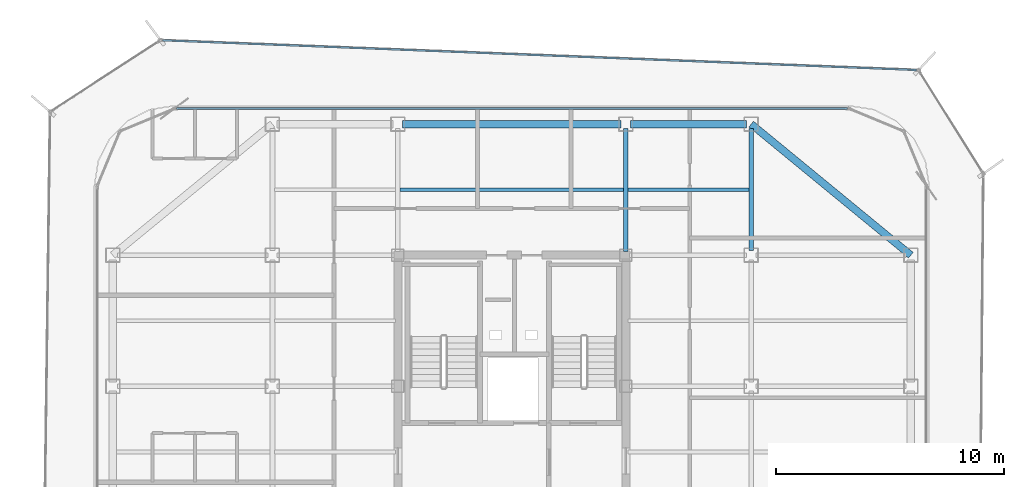
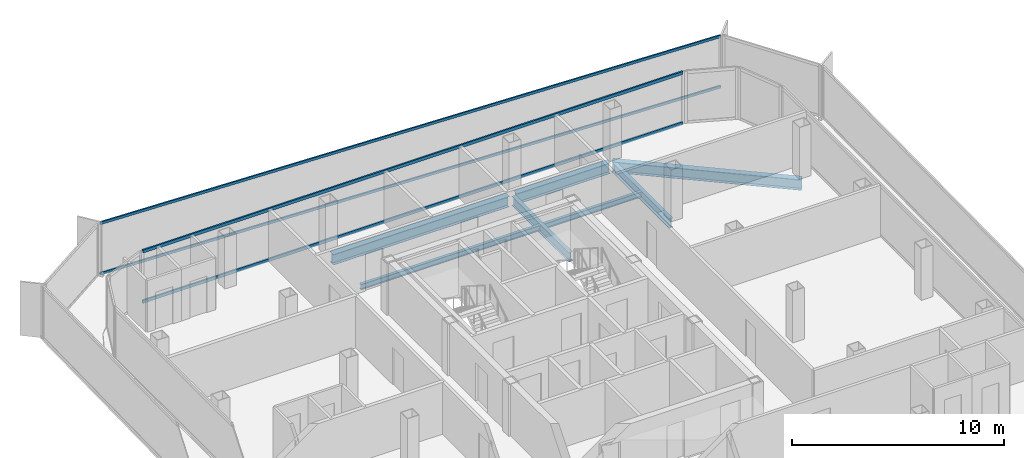
# One storey, part 7 of 15: 7 beams, 4 members, 2 elements without a shape of their own.
"""IFC4 building model written with IfcOpenShell, lengths in metres."""

from ifc_helpers import new_model, si_unit, direction, frame, origin, origin_2d, place, context, subcontext, project, spatial, hollow_rectangle, i_section, extrude, source, transform, mapped, material, layer, layer_set, material_profile, profile_set, type_object, element, aggregate, save


model = new_model("IFC4")

# Units and contexts
model_context = context("Model", 3, precision=1e-05, world=origin(), true_north=direction((0.0, 1.0)))
body_context = subcontext(model_context, "Body", "Model", "MODEL_VIEW")
ifc_project = project(units=[si_unit("LENGTHUNIT", "METRE"), si_unit("AREAUNIT", "SQUARE_METRE"), si_unit("VOLUMEUNIT", "CUBIC_METRE"), si_unit("PLANEANGLEUNIT", "RADIAN"), si_unit("MASSUNIT", "GRAM", prefix="KILO")], contexts=[model_context])

# Site, building, storey
site_placement = place(None, origin())
site = spatial("IfcSite", under=ifc_project, at=site_placement, CompositionType="ELEMENT")
building_placement = place(site_placement, origin())
building = spatial("IfcBuilding", under=site, at=building_placement, Name="Kolveth Station Tower", CompositionType="ELEMENT")
storey_placement = place(building_placement, frame((0.0, 0.0, 261.699951171875)))
storey = spatial("IfcBuildingStorey", under=building, at=storey_placement, Name="L75", CompositionType="ELEMENT", Elevation=261.699951171875)

# Beams
ifc_material_1 = material(Name="Steel S355", Category="steel")
ifc_material_profile_1 = material_profile(ifc_material_1, i_section(OverallWidth=0.323974609375, OverallDepth=0.611083984375, WebThickness=0.0126953125, FlangeThickness=0.01904296875, at=origin_2d()), Name="W610x155")
ifc_profile_set_1 = profile_set([ifc_material_profile_1], Name="Steel S355")
beam_type_1 = type_object("IfcBeamType", Name="Beam_SP2", PredefinedType="SPANDREL", material=ifc_profile_set_1)
shared_shape_1 = source(origin(), body_context, "Body", "SweptSolid", [
    extrude(i_section(OverallWidth=0.323974609375, OverallDepth=0.611083984375, WebThickness=0.0126953125, FlangeThickness=0.01904296875, at=origin_2d()), origin(), (0.0, 0.0, 1.0), 9.058837890625),
])
beam_1_placement = place(storey_placement, frame((41.0, 28.75, -0.525390625), z_axis=(-0.772726254525, 0.63473942336, 0.0), x_axis=(-0.63473942336, -0.772726254525, 0.0)))
element("IfcBeam", 1, at=beam_1_placement, inside=storey, type_object=beam_type_1, Name="L75 Corner Edge Girder BM-L75-CNR-NE", PredefinedType="SPANDREL", context=body_context, shape_type="MappedRepresentation", body=[
    mapped(shared_shape_1, transform((0.0, 0.0, 0.0), x_axis=(1.0, 0.0, 0.0), y_axis=(0.0, 1.0, 0.0), z_axis=(0.0, 0.0, 1.0), scale=1.0)),
])
shared_shape_2 = source(origin(), body_context, "Body", "SweptSolid", [
    extrude(i_section(OverallWidth=0.323974609375, OverallDepth=0.611083984375, WebThickness=0.0126953125, FlangeThickness=0.01904296875, at=origin_2d()), origin(), (0.0, 0.0, 1.0), 5.10009765625),
])
beam_2_placement = place(storey_placement, frame((28.699951171875, 34.5, -0.525390625), z_axis=(1.0, 0.0, 0.0), x_axis=(0.0, 1.0, 0.0)))
element("IfcBeam", 2, at=beam_2_placement, inside=storey, type_object=beam_type_1, Name="L75 Perimeter Spandrel BM-L75-PN-3", PredefinedType="SPANDREL", context=body_context, shape_type="MappedRepresentation", body=[
    mapped(shared_shape_2, transform((0.0, 0.0, 0.0), x_axis=(1.0, 0.0, 0.0), y_axis=(0.0, 1.0, 0.0), z_axis=(0.0, 0.0, 1.0), scale=1.0)),
])
shared_shape_3 = source(origin(), body_context, "Body", "SweptSolid", [
    extrude(i_section(OverallWidth=0.323974609375, OverallDepth=0.611083984375, WebThickness=0.0126953125, FlangeThickness=0.01904296875, at=origin_2d()), origin(), (0.0, 0.0, 1.0), 9.60009765625),
])
beam_3_placement = place(storey_placement, frame((18.699951171875, 34.5, -0.525390625), z_axis=(1.0, 0.0, 0.0), x_axis=(0.0, 1.0, 0.0)))
element("IfcBeam", 3, at=beam_3_placement, inside=storey, type_object=beam_type_1, Name="L75 Perimeter Spandrel BM-L75-PN-2", PredefinedType="SPANDREL", context=body_context, shape_type="MappedRepresentation", body=[
    mapped(shared_shape_3, transform((0.0, 0.0, 0.0), x_axis=(1.0, 0.0, 0.0), y_axis=(0.0, 1.0, 0.0), z_axis=(0.0, 0.0, 1.0), scale=1.0)),
])
ifc_material_profile_2 = material_profile(ifc_material_1, i_section(OverallWidth=0.2099609375, OverallDepth=0.537109375, WebThickness=0.010986328125, FlangeThickness=0.017333984375, at=origin_2d()), Name="W530x101")
ifc_profile_set_2 = profile_set([ifc_material_profile_2], Name="Steel S355")
beam_type_2 = type_object("IfcBeamType", Name="Beam_B6", PredefinedType="BEAM", material=ifc_profile_set_2)
shared_shape_4 = source(origin(), body_context, "Body", "SweptSolid", [
    extrude(i_section(OverallWidth=0.2099609375, OverallDepth=0.537109375, WebThickness=0.010986328125, FlangeThickness=0.017333984375, at=origin_2d()), origin(), (0.0, 0.0, 1.0), 5.35009765625),
])
beam_4_placement = place(storey_placement, frame((34.0, 28.949951171875, -0.488525390625), z_axis=(0.0, 1.0, 0.0), x_axis=(-1.0, 0.0, 0.0)))
element("IfcBeam", 4, at=beam_4_placement, inside=storey, type_object=beam_type_2, Name="L75 Primary Girder BM-L75-GX340-6", PredefinedType="BEAM", context=body_context, shape_type="MappedRepresentation", body=[
    mapped(shared_shape_4, transform((0.0, 0.0, 0.0), x_axis=(1.0, 0.0, 0.0), y_axis=(0.0, 1.0, 0.0), z_axis=(0.0, 0.0, 1.0), scale=1.0)),
])
shared_shape_5 = source(origin(), body_context, "Body", "SweptSolid", [
    extrude(i_section(OverallWidth=0.2099609375, OverallDepth=0.537109375, WebThickness=0.010986328125, FlangeThickness=0.017333984375, at=origin_2d()), origin(), (0.0, 0.0, 1.0), 5.39013671875),
])
beam_5_placement = place(storey_placement, frame((28.5, 28.909912109375, -0.488525390625), z_axis=(0.0, 1.0, 0.0), x_axis=(-1.0, 0.0, 0.0)))
element("IfcBeam", 5, at=beam_5_placement, inside=storey, type_object=beam_type_2, Name="L75 Primary Girder BM-L75-GX285-6", PredefinedType="BEAM", context=body_context, shape_type="MappedRepresentation", body=[
    mapped(shared_shape_5, transform((0.0, 0.0, 0.0), x_axis=(1.0, 0.0, 0.0), y_axis=(0.0, 1.0, 0.0), z_axis=(0.0, 0.0, 1.0), scale=1.0)),
])
ifc_material_profile_3 = material_profile(ifc_material_1, i_section(OverallWidth=0.1650390625, OverallDepth=0.31005859375, WebThickness=0.005859375, FlangeThickness=0.009765625, at=origin_2d()), Name="W310x39")
ifc_profile_set_3 = profile_set([ifc_material_profile_3], Name="Steel S355")
beam_type_3 = type_object("IfcBeamType", Name="Beam_J3", PredefinedType="JOIST", material=ifc_profile_set_3)
shared_shape_6 = source(origin(), body_context, "Body", "SweptSolid", [
    extrude(i_section(OverallWidth=0.1650390625, OverallDepth=0.31005859375, WebThickness=0.005859375, FlangeThickness=0.009765625, at=origin_2d()), origin(), (0.0, 0.0, 1.0), 5.2939453125),
])
beam_6_placement = place(storey_placement, frame((28.60302734375, 31.625, -0.375), z_axis=(1.0, 0.0, 0.0), x_axis=(0.0, 1.0, 0.0)))
element("IfcBeam", 6, at=beam_6_placement, inside=storey, type_object=beam_type_3, Name="L75 Secondary Joist JST-L75-4-6", PredefinedType="JOIST", context=body_context, shape_type="MappedRepresentation", body=[
    mapped(shared_shape_6, transform((0.0, 0.0, 0.0), x_axis=(1.0, 0.0, 0.0), y_axis=(0.0, 1.0, 0.0), z_axis=(0.0, 0.0, 1.0), scale=1.0)),
])
shared_shape_7 = source(origin(), body_context, "Body", "SweptSolid", [
    extrude(i_section(OverallWidth=0.1650390625, OverallDepth=0.31005859375, WebThickness=0.005859375, FlangeThickness=0.009765625, at=origin_2d()), origin(), (0.0, 0.0, 1.0), 9.7939453125),
])
beam_7_placement = place(storey_placement, frame((18.60302734375, 31.625, -0.375), z_axis=(1.0, 0.0, 0.0), x_axis=(0.0, 1.0, 0.0)))
element("IfcBeam", 7, at=beam_7_placement, inside=storey, type_object=beam_type_3, Name="L75 Secondary Joist JST-L75-3-6", PredefinedType="JOIST", context=body_context, shape_type="MappedRepresentation", body=[
    mapped(shared_shape_7, transform((0.0, 0.0, 0.0), x_axis=(1.0, 0.0, 0.0), y_axis=(0.0, 1.0, 0.0), z_axis=(0.0, 0.0, 1.0), scale=1.0)),
])

# Curtain wall, members
ifc_material_2 = material(Name="Aluminium 6063-T6 and triple low-E dark glass", Category="aluminium")
ifc_layer_1 = layer(ifc_material_2, 0.199951171875)
ifc_layer_set_1 = layer_set([ifc_layer_1], Name="Aluminium 6063-T6 and triple low-E dark glass")
curtain_wall_type_1 = type_object("IfcCurtainWallType", Name="CurtainWall_CW-Z3", PredefinedType="NOTDEFINED", material=ifc_layer_set_1)
curtain_wall_1_placement = place(storey_placement, origin())
curtain_wall_1 = element("IfcCurtainWall", 8, at=curtain_wall_1_placement, inside=storey, type_object=curtain_wall_type_1, Name="L75 Inner Thermal Curtain Wall 6", PredefinedType="NOTDEFINED")
ifc_material_3 = material(Name="Black anodized aluminium 6063-T6", Category="aluminium")
ifc_material_profile_4 = material_profile(ifc_material_3, hollow_rectangle(XDim=0.0849609375, YDim=0.179931640625, WallThickness=0.0048828125, at=origin_2d()), Name="ALU-85x180x5")
ifc_profile_set_4 = profile_set([ifc_material_profile_4], Name="Black anodized aluminium 6063-T6")
member_type_1 = type_object("IfcMemberType", Name="Transom_TR3", PredefinedType="USERDEFINED", material=ifc_profile_set_4)
shared_shape_8 = source(origin(), body_context, "Body", "SweptSolid", [
    extrude(hollow_rectangle(XDim=0.0849609375, YDim=0.179931640625, WallThickness=0.0048828125, at=origin_2d()), origin(), (0.0, 0.0, 1.0), 29.43017578125),
])
member_1_placement = place(storey_placement, frame((38.215087890625, 35.179931640625, 0.04248046875), z_axis=(-1.0, 0.0, 0.0), x_axis=(0.0, -1.0, 0.0)))
member_1 = element("IfcMember", 9, at=member_1_placement, type_object=member_type_1, Name="CW-Z3 transom 1.1", ObjectType="TRANSOM", PredefinedType="USERDEFINED", context=body_context, shape_type="MappedRepresentation", body=[
    mapped(shared_shape_8, transform((0.0, 0.0, 0.0), x_axis=(1.0, 0.0, 0.0), y_axis=(0.0, 1.0, 0.0), z_axis=(0.0, 0.0, 1.0), scale=1.0)),
])
member_2_placement = place(storey_placement, frame((38.215087890625, 35.179931640625, 2.9375), z_axis=(-1.0, 0.0, 0.0), x_axis=(0.0, -1.0, 0.0)))
member_2 = element("IfcMember", 10, at=member_2_placement, type_object=member_type_1, Name="CW-Z3 transom 1.2", ObjectType="TRANSOM", PredefinedType="USERDEFINED", context=body_context, shape_type="MappedRepresentation", body=[
    mapped(shared_shape_8, transform((0.0, 0.0, 0.0), x_axis=(1.0, 0.0, 0.0), y_axis=(0.0, 1.0, 0.0), z_axis=(0.0, 0.0, 1.0), scale=1.0)),
])
aggregate(curtain_wall_1, [member_1, member_2])

ifc_material_4 = material(Name="Black anodized aluminium 6063-T6 and dark solar glass", Category="aluminium")
ifc_layer_2 = layer(ifc_material_4, 0.159912109375)
ifc_layer_set_2 = layer_set([ifc_layer_2], Name="Black anodized aluminium 6063-T6 and dark solar glass")
curtain_wall_type_2 = type_object("IfcCurtainWallType", Name="OUTER SKIN CW-OS", PredefinedType="NOTDEFINED", material=ifc_layer_set_2)
curtain_wall_2_placement = place(storey_placement, origin())
curtain_wall_2 = element("IfcCurtainWall", 11, at=curtain_wall_2_placement, inside=storey, type_object=curtain_wall_type_2, Name="L75 Outer Ventilated Skin Curtain Wall 4", PredefinedType="NOTDEFINED")
ifc_material_profile_5 = material_profile(ifc_material_3, hollow_rectangle(XDim=0.080078125, YDim=0.14990234375, WallThickness=0.0048828125, at=origin_2d()), Name="ALU-80x150x5")
ifc_profile_set_5 = profile_set([ifc_material_profile_5], Name="Black anodized aluminium 6063-T6")
member_type_2 = type_object("IfcMemberType", Name="Transom_TR-OS", PredefinedType="USERDEFINED", material=ifc_profile_set_5)
shared_shape_9 = source(origin(), body_context, "Body", "SweptSolid", [
    extrude(hollow_rectangle(XDim=0.080078125, YDim=0.14990234375, WallThickness=0.0048828125, at=origin_2d()), origin(), (0.0, 0.0, 1.0), 33.089599609375),
])
member_3_placement = place(storey_placement, frame((41.252197265625, 36.872314453125, 0.0400390625), z_axis=(-0.999223253743, 0.039406714895, 0.0), x_axis=(-0.039406714895, -0.999223253743, 0.0)))
member_3 = element("IfcMember", 12, at=member_3_placement, type_object=member_type_2, Name="CW-OS transom 1.1", ObjectType="TRANSOM", PredefinedType="USERDEFINED", context=body_context, shape_type="MappedRepresentation", body=[
    mapped(shared_shape_9, transform((0.0, 0.0, 0.0), x_axis=(1.0, 0.0, 0.0), y_axis=(0.0, 1.0, 0.0), z_axis=(0.0, 0.0, 1.0), scale=1.0)),
])
member_4_placement = place(storey_placement, frame((41.252197265625, 36.872314453125, 2.949951171875), z_axis=(-0.999223253743, 0.039406714895, 0.0), x_axis=(-0.039406714895, -0.999223253743, 0.0)))
member_4 = element("IfcMember", 13, at=member_4_placement, type_object=member_type_2, Name="CW-OS transom 1.2", ObjectType="TRANSOM", PredefinedType="USERDEFINED", context=body_context, shape_type="MappedRepresentation", body=[
    mapped(shared_shape_9, transform((0.0, 0.0, 0.0), x_axis=(1.0, 0.0, 0.0), y_axis=(0.0, 1.0, 0.0), z_axis=(0.0, 0.0, 1.0), scale=1.0)),
])
aggregate(curtain_wall_2, [member_3, member_4])

save(model, "model.ifc")
